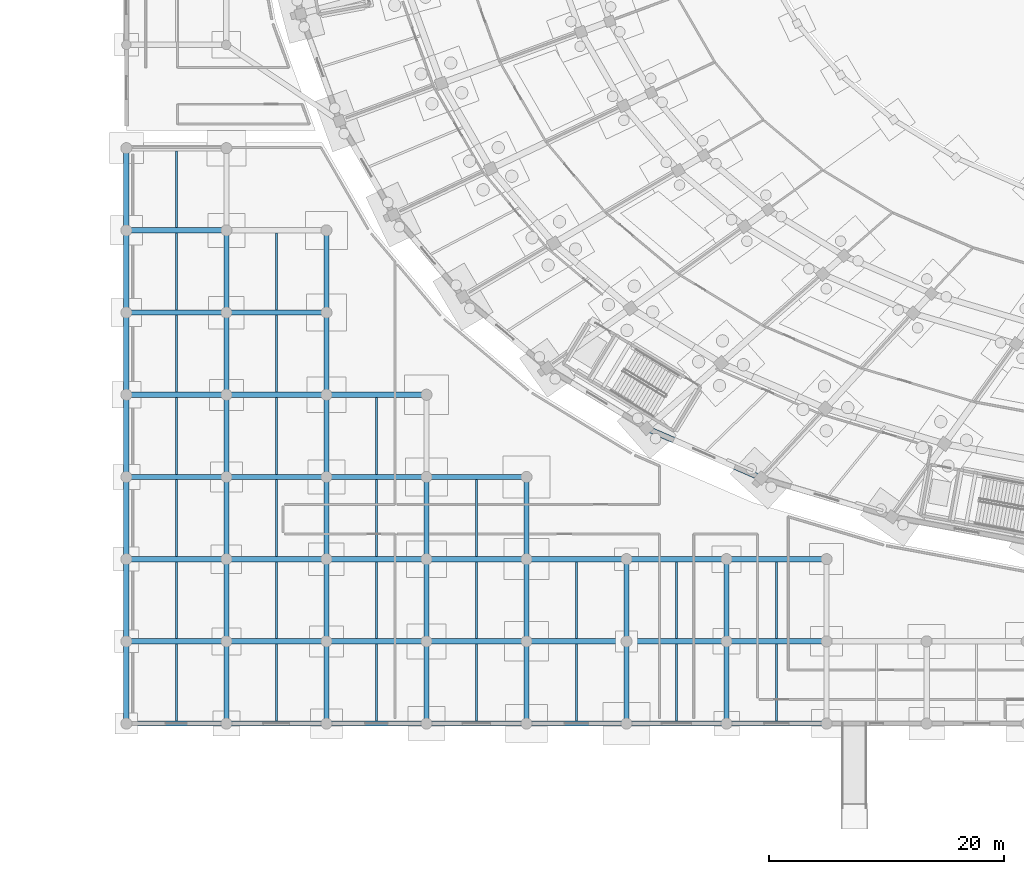
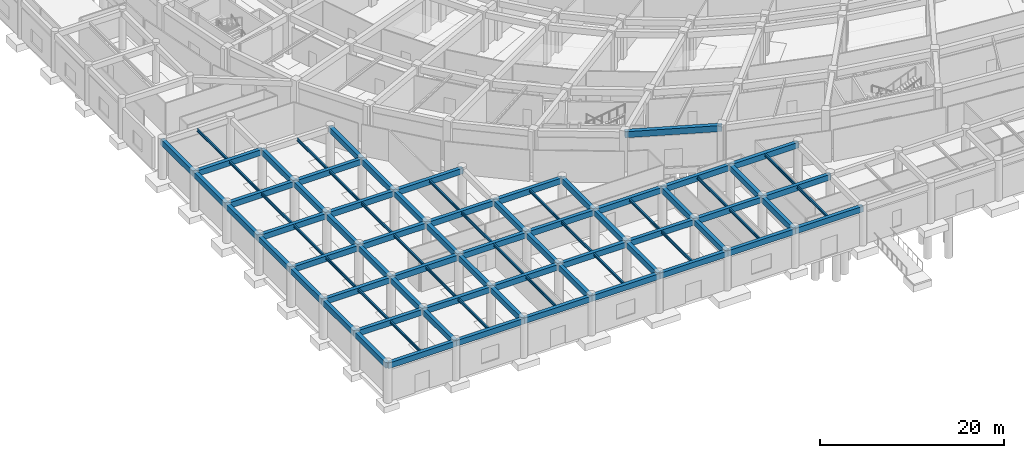
# One storey, part 25 of 88: 87 beams.
"""IFC4 building model written with IfcOpenShell, lengths in metres."""

from ifc_helpers import new_model, si_unit, direction, frame, origin, origin_2d, place, context, subcontext, project, spatial, rectangle, i_section, extrude, material, material_profile, profile_set, type_object, element, save


model = new_model("IFC4")

# Units and contexts
model_context = context("Model", 3, precision=1e-05, world=origin(), true_north=direction((0.0, 1.0)))
body_context = subcontext(model_context, "Body", "Model", "MODEL_VIEW")
ifc_project = project(units=[si_unit("LENGTHUNIT", "METRE"), si_unit("AREAUNIT", "SQUARE_METRE"), si_unit("VOLUMEUNIT", "CUBIC_METRE"), si_unit("PLANEANGLEUNIT", "RADIAN"), si_unit("MASSUNIT", "GRAM", prefix="KILO")], contexts=[model_context])

# Site, building, storey
site_placement = place(None, origin())
site = spatial("IfcSite", under=ifc_project, at=site_placement, CompositionType="ELEMENT")
building_placement = place(site_placement, origin())
building = spatial("IfcBuilding", under=site, at=building_placement, Name="Mphavela Belvedere Stadium", CompositionType="ELEMENT")
storey_placement = place(building_placement, origin())
storey = spatial("IfcBuildingStorey", under=building, at=storey_placement, Name="L00", CompositionType="ELEMENT", Elevation=0.0)

# Beams
ifc_material_1 = material(Name="Steel S355", Category="steel")
ifc_material_profile_1 = material_profile(ifc_material_1, i_section(OverallWidth=0.169921875, OverallDepth=0.360107421875, WebThickness=0.008056640625, FlangeThickness=0.0126953125, at=origin_2d()), Name="IPE 360")
ifc_profile_set_1 = profile_set([ifc_material_profile_1], Name="Steel S355")
beam_type_1 = type_object("IfcBeamType", Name="BM-JOIST-IPE360", PredefinedType="JOIST", material=ifc_profile_set_1)
for number, where, z_axis, x_axis, name in (
    (1, (4.259521484375, 0.22509765625, 4.9599609375), (0.0, 1.0, 0.0), (-1.0, 0.0, 0.0), "South Axial Triumphal Peristyle Portico secondary joist L00 1-1"),
    (2, (4.259521484375, 7.22509765625, 4.9599609375), (0.0, 1.0, 0.0), (-1.0, 0.0, 0.0), "South Axial Triumphal Peristyle Portico secondary joist L00 1-2"),
    (3, (4.259521484375, 14.22509765625, 4.9599609375), (0.0, 1.0, 0.0), (-1.0, 0.0, 0.0), "South Axial Triumphal Peristyle Portico secondary joist L00 1-3"),
    (4, (4.259521484375, 21.22509765625, 4.9599609375), (0.0, 1.0, 0.0), (-1.0, 0.0, 0.0), "South Axial Triumphal Peristyle Portico secondary joist L00 1-4"),
    (5, (4.259521484375, 28.22509765625, 4.9599609375), (0.0, 1.0, 0.0), (-1.0, 0.0, 0.0), "South Axial Triumphal Peristyle Portico secondary joist L00 1-5"),
    (6, (4.259521484375, 35.22509765625, 4.9599609375), (0.0, 1.0, 0.0), (-1.0, 0.0, 0.0), "South Axial Triumphal Peristyle Portico secondary joist L00 1-6"),
    (7, (4.259521484375, 42.22509765625, 4.9599609375), (0.0, 1.0, 0.0), (-1.0, 0.0, 0.0), "South Axial Triumphal Peristyle Portico secondary joist L00 1-7"),
    (8, (12.778076171875, 0.22509765625, 4.9599609375), (0.0, 1.0, 0.0), (-1.0, 0.0, 0.0), "South Axial Triumphal Peristyle Portico secondary joist L00 2-1"),
    (9, (12.778076171875, 7.22509765625, 4.9599609375), (0.0, 1.0, 0.0), (-1.0, 0.0, 0.0), "South Axial Triumphal Peristyle Portico secondary joist L00 2-2"),
    (10, (12.778076171875, 14.22509765625, 4.9599609375), (0.0, 1.0, 0.0), (-1.0, 0.0, 0.0), "South Axial Triumphal Peristyle Portico secondary joist L00 2-3"),
    (11, (12.778076171875, 21.22509765625, 4.9599609375), (0.0, 1.0, 0.0), (-1.0, 0.0, 0.0), "South Axial Triumphal Peristyle Portico secondary joist L00 2-4"),
    (12, (12.778076171875, 28.22509765625, 4.9599609375), (0.0, 1.0, 0.0), (-1.0, 0.0, 0.0), "South Axial Triumphal Peristyle Portico secondary joist L00 2-5"),
    (13, (12.778076171875, 35.22509765625, 4.9599609375), (0.0, 1.0, 0.0), (-1.0, 0.0, 0.0), "South Axial Triumphal Peristyle Portico secondary joist L00 2-6"),
    (14, (21.29638671875, 0.22509765625, 4.9599609375), (0.0, 1.0, 0.0), (-1.0, 0.0, 0.0), "South Axial Triumphal Peristyle Portico secondary joist L00 3-1"),
    (15, (21.29638671875, 7.22509765625, 4.9599609375), (0.0, 1.0, 0.0), (-1.0, 0.0, 0.0), "South Axial Triumphal Peristyle Portico secondary joist L00 3-2"),
    (16, (21.29638671875, 14.22509765625, 4.9599609375), (0.0, 1.0, 0.0), (-1.0, 0.0, 0.0), "South Axial Triumphal Peristyle Portico secondary joist L00 3-3"),
    (17, (21.29638671875, 21.22509765625, 4.9599609375), (0.0, 1.0, 0.0), (-1.0, 0.0, 0.0), "South Axial Triumphal Peristyle Portico secondary joist L00 3-4"),
    (18, (29.81494140625, 0.22509765625, 4.9599609375), (0.0, 1.0, 0.0), (-1.0, 0.0, 0.0), "South Axial Triumphal Peristyle Portico secondary joist L00 4-1"),
    (19, (29.81494140625, 7.22509765625, 4.9599609375), (0.0, 1.0, 0.0), (-1.0, 0.0, 0.0), "South Axial Triumphal Peristyle Portico secondary joist L00 4-2"),
    (20, (29.81494140625, 14.22509765625, 4.9599609375), (0.0, 1.0, 0.0), (-1.0, 0.0, 0.0), "South Axial Triumphal Peristyle Portico secondary joist L00 4-3"),
    (21, (38.33349609375, 0.22509765625, 4.9599609375), (0.0, 1.0, 0.0), (-1.0, 0.0, 0.0), "South Axial Triumphal Peristyle Portico secondary joist L00 5-1"),
    (22, (38.33349609375, 7.22509765625, 4.9599609375), (0.0, 1.0, 0.0), (-1.0, 0.0, 0.0), "South Axial Triumphal Peristyle Portico secondary joist L00 5-2"),
    (23, (46.85205078125, 0.22509765625, 4.9599609375), (0.0, 1.0, 0.0), (-1.0, 0.0, 0.0), "South Axial Triumphal Peristyle Portico secondary joist L00 6-1"),
    (24, (46.85205078125, 7.22509765625, 4.9599609375), (0.0, 1.0, 0.0), (-1.0, 0.0, 0.0), "South Axial Triumphal Peristyle Portico secondary joist L00 6-2"),
    (25, (55.37060546875, 0.22509765625, 4.9599609375), (0.0, 1.0, 0.0), (-1.0, 0.0, 0.0), "South Axial Triumphal Peristyle Portico secondary joist L00 7-1"),
    (26, (55.37060546875, 7.22509765625, 4.9599609375), (0.0, 1.0, 0.0), (-1.0, 0.0, 0.0), "South Axial Triumphal Peristyle Portico secondary joist L00 7-2"),
):
    element("IfcBeam", number, at=place(storey_placement, frame(where, z_axis=z_axis, x_axis=x_axis)), inside=storey, type_object=beam_type_1, Name=name, PredefinedType="JOIST", context=body_context, shape_type="SweptSolid", body=[
        extrude(i_section(OverallWidth=0.169921875, OverallDepth=0.360107421875, WebThickness=0.008056640625, FlangeThickness=0.0126953125, at=origin_2d()), origin(), (0.0, 0.0, 1.0), 6.5498046875),
    ])
ifc_material_2 = material(Name="Concrete C40/50", Category="concrete")
ifc_material_profile_2 = material_profile(ifc_material_2, rectangle(XDim=0.449951171875, YDim=0.75, at=origin_2d()), Name="RC 450x750")
ifc_profile_set_2 = profile_set([ifc_material_profile_2], Name="Concrete C40/50")
beam_type_2 = type_object("IfcBeamType", Name="BM-RC450x750", PredefinedType="BEAM", material=ifc_profile_set_2)
beam_1_placement = place(storey_placement, frame((0.0, 0.0, 4.764892578125), z_axis=(1.0, 0.0, 0.0), x_axis=(0.0, 1.0, 0.0)))
element("IfcBeam", 27, at=beam_1_placement, inside=storey, type_object=beam_type_2, Name="South Axial Triumphal Peristyle Portico entablature beam X L00 1-1", PredefinedType="BEAM", context=body_context, shape_type="SweptSolid", body=[
    extrude(rectangle(XDim=0.449951171875, YDim=0.75, at=origin_2d()), origin(), (0.0, 0.0, 1.0), 8.51904296875),
])
beam_2_placement = place(storey_placement, frame((0.0, 0.0, 4.764892578125), z_axis=(0.0, 1.0, 0.0), x_axis=(-1.0, 0.0, 0.0)))
element("IfcBeam", 28, at=beam_2_placement, inside=storey, type_object=beam_type_2, Name="South Axial Triumphal Peristyle Portico entablature beam Y L00 1-1", PredefinedType="BEAM", context=body_context, shape_type="SweptSolid", body=[
    extrude(rectangle(XDim=0.449951171875, YDim=0.75, at=origin_2d()), origin(), (0.0, 0.0, 1.0), 7.0),
])
beam_3_placement = place(storey_placement, frame((0.0, 7.0, 4.764892578125), z_axis=(1.0, 0.0, 0.0), x_axis=(0.0, 1.0, 0.0)))
element("IfcBeam", 29, at=beam_3_placement, inside=storey, type_object=beam_type_2, Name="South Axial Triumphal Peristyle Portico entablature beam X L00 1-2", PredefinedType="BEAM", context=body_context, shape_type="SweptSolid", body=[
    extrude(rectangle(XDim=0.449951171875, YDim=0.75, at=origin_2d()), origin(), (0.0, 0.0, 1.0), 8.51904296875),
])
beam_4_placement = place(storey_placement, frame((0.0, 7.0, 4.764892578125), z_axis=(0.0, 1.0, 0.0), x_axis=(-1.0, 0.0, 0.0)))
element("IfcBeam", 30, at=beam_4_placement, inside=storey, type_object=beam_type_2, Name="South Axial Triumphal Peristyle Portico entablature beam Y L00 1-2", PredefinedType="BEAM", context=body_context, shape_type="SweptSolid", body=[
    extrude(rectangle(XDim=0.449951171875, YDim=0.75, at=origin_2d()), origin(), (0.0, 0.0, 1.0), 7.0),
])
beam_5_placement = place(storey_placement, frame((0.0, 14.0, 4.764892578125), z_axis=(1.0, 0.0, 0.0), x_axis=(0.0, 1.0, 0.0)))
element("IfcBeam", 31, at=beam_5_placement, inside=storey, type_object=beam_type_2, Name="South Axial Triumphal Peristyle Portico entablature beam X L00 1-3", PredefinedType="BEAM", context=body_context, shape_type="SweptSolid", body=[
    extrude(rectangle(XDim=0.449951171875, YDim=0.75, at=origin_2d()), origin(), (0.0, 0.0, 1.0), 8.51904296875),
])
beam_6_placement = place(storey_placement, frame((0.0, 14.0, 4.764892578125), z_axis=(0.0, 1.0, 0.0), x_axis=(-1.0, 0.0, 0.0)))
element("IfcBeam", 32, at=beam_6_placement, inside=storey, type_object=beam_type_2, Name="South Axial Triumphal Peristyle Portico entablature beam Y L00 1-3", PredefinedType="BEAM", context=body_context, shape_type="SweptSolid", body=[
    extrude(rectangle(XDim=0.449951171875, YDim=0.75, at=origin_2d()), origin(), (0.0, 0.0, 1.0), 7.0),
])
beam_7_placement = place(storey_placement, frame((0.0, 21.0, 4.764892578125), z_axis=(1.0, 0.0, 0.0), x_axis=(0.0, 1.0, 0.0)))
element("IfcBeam", 33, at=beam_7_placement, inside=storey, type_object=beam_type_2, Name="South Axial Triumphal Peristyle Portico entablature beam X L00 1-4", PredefinedType="BEAM", context=body_context, shape_type="SweptSolid", body=[
    extrude(rectangle(XDim=0.449951171875, YDim=0.75, at=origin_2d()), origin(), (0.0, 0.0, 1.0), 8.51904296875),
])
beam_8_placement = place(storey_placement, frame((0.0, 21.0, 4.764892578125), z_axis=(0.0, 1.0, 0.0), x_axis=(-1.0, 0.0, 0.0)))
element("IfcBeam", 34, at=beam_8_placement, inside=storey, type_object=beam_type_2, Name="South Axial Triumphal Peristyle Portico entablature beam Y L00 1-4", PredefinedType="BEAM", context=body_context, shape_type="SweptSolid", body=[
    extrude(rectangle(XDim=0.449951171875, YDim=0.75, at=origin_2d()), origin(), (0.0, 0.0, 1.0), 7.0),
])
beam_9_placement = place(storey_placement, frame((0.0, 28.0, 4.764892578125), z_axis=(1.0, 0.0, 0.0), x_axis=(0.0, 1.0, 0.0)))
element("IfcBeam", 35, at=beam_9_placement, inside=storey, type_object=beam_type_2, Name="South Axial Triumphal Peristyle Portico entablature beam X L00 1-5", PredefinedType="BEAM", context=body_context, shape_type="SweptSolid", body=[
    extrude(rectangle(XDim=0.449951171875, YDim=0.75, at=origin_2d()), origin(), (0.0, 0.0, 1.0), 8.51904296875),
])
beam_10_placement = place(storey_placement, frame((0.0, 28.0, 4.764892578125), z_axis=(0.0, 1.0, 0.0), x_axis=(-1.0, 0.0, 0.0)))
element("IfcBeam", 36, at=beam_10_placement, inside=storey, type_object=beam_type_2, Name="South Axial Triumphal Peristyle Portico entablature beam Y L00 1-5", PredefinedType="BEAM", context=body_context, shape_type="SweptSolid", body=[
    extrude(rectangle(XDim=0.449951171875, YDim=0.75, at=origin_2d()), origin(), (0.0, 0.0, 1.0), 7.0),
])
beam_11_placement = place(storey_placement, frame((0.0, 35.0, 4.764892578125), z_axis=(1.0, 0.0, 0.0), x_axis=(0.0, 1.0, 0.0)))
element("IfcBeam", 37, at=beam_11_placement, inside=storey, type_object=beam_type_2, Name="South Axial Triumphal Peristyle Portico entablature beam X L00 1-6", PredefinedType="BEAM", context=body_context, shape_type="SweptSolid", body=[
    extrude(rectangle(XDim=0.449951171875, YDim=0.75, at=origin_2d()), origin(), (0.0, 0.0, 1.0), 8.51904296875),
])
beam_12_placement = place(storey_placement, frame((0.0, 35.0, 4.764892578125), z_axis=(0.0, 1.0, 0.0), x_axis=(-1.0, 0.0, 0.0)))
element("IfcBeam", 38, at=beam_12_placement, inside=storey, type_object=beam_type_2, Name="South Axial Triumphal Peristyle Portico entablature beam Y L00 1-6", PredefinedType="BEAM", context=body_context, shape_type="SweptSolid", body=[
    extrude(rectangle(XDim=0.449951171875, YDim=0.75, at=origin_2d()), origin(), (0.0, 0.0, 1.0), 7.0),
])
beam_13_placement = place(storey_placement, frame((0.0, 42.0, 4.764892578125), z_axis=(1.0, 0.0, 0.0), x_axis=(0.0, 1.0, 0.0)))
element("IfcBeam", 39, at=beam_13_placement, inside=storey, type_object=beam_type_2, Name="South Axial Triumphal Peristyle Portico entablature beam X L00 1-7", PredefinedType="BEAM", context=body_context, shape_type="SweptSolid", body=[
    extrude(rectangle(XDim=0.449951171875, YDim=0.75, at=origin_2d()), origin(), (0.0, 0.0, 1.0), 8.51904296875),
])
beam_14_placement = place(storey_placement, frame((0.0, 42.0, 4.764892578125), z_axis=(0.0, 1.0, 0.0), x_axis=(-1.0, 0.0, 0.0)))
element("IfcBeam", 40, at=beam_14_placement, inside=storey, type_object=beam_type_2, Name="South Axial Triumphal Peristyle Portico entablature beam Y L00 1-7", PredefinedType="BEAM", context=body_context, shape_type="SweptSolid", body=[
    extrude(rectangle(XDim=0.449951171875, YDim=0.75, at=origin_2d()), origin(), (0.0, 0.0, 1.0), 7.0),
])
beam_15_placement = place(storey_placement, frame((8.51904296875, 0.0, 4.764892578125), z_axis=(1.0, 0.0, 0.0), x_axis=(0.0, 1.0, 0.0)))
element("IfcBeam", 41, at=beam_15_placement, inside=storey, type_object=beam_type_2, Name="South Axial Triumphal Peristyle Portico entablature beam X L00 2-1", PredefinedType="BEAM", context=body_context, shape_type="SweptSolid", body=[
    extrude(rectangle(XDim=0.449951171875, YDim=0.75, at=origin_2d()), origin(), (0.0, 0.0, 1.0), 8.51806640625),
])
beam_16_placement = place(storey_placement, frame((8.51904296875, 0.0, 4.764892578125), z_axis=(0.0, 1.0, 0.0), x_axis=(-1.0, 0.0, 0.0)))
element("IfcBeam", 42, at=beam_16_placement, inside=storey, type_object=beam_type_2, Name="South Axial Triumphal Peristyle Portico entablature beam Y L00 2-1", PredefinedType="BEAM", context=body_context, shape_type="SweptSolid", body=[
    extrude(rectangle(XDim=0.449951171875, YDim=0.75, at=origin_2d()), origin(), (0.0, 0.0, 1.0), 7.0),
])
beam_17_placement = place(storey_placement, frame((8.51904296875, 7.0, 4.764892578125), z_axis=(1.0, 0.0, 0.0), x_axis=(0.0, 1.0, 0.0)))
element("IfcBeam", 43, at=beam_17_placement, inside=storey, type_object=beam_type_2, Name="South Axial Triumphal Peristyle Portico entablature beam X L00 2-2", PredefinedType="BEAM", context=body_context, shape_type="SweptSolid", body=[
    extrude(rectangle(XDim=0.449951171875, YDim=0.75, at=origin_2d()), origin(), (0.0, 0.0, 1.0), 8.51806640625),
])
beam_18_placement = place(storey_placement, frame((8.51904296875, 7.0, 4.764892578125), z_axis=(0.0, 1.0, 0.0), x_axis=(-1.0, 0.0, 0.0)))
element("IfcBeam", 44, at=beam_18_placement, inside=storey, type_object=beam_type_2, Name="South Axial Triumphal Peristyle Portico entablature beam Y L00 2-2", PredefinedType="BEAM", context=body_context, shape_type="SweptSolid", body=[
    extrude(rectangle(XDim=0.449951171875, YDim=0.75, at=origin_2d()), origin(), (0.0, 0.0, 1.0), 7.0),
])
beam_19_placement = place(storey_placement, frame((8.51904296875, 14.0, 4.764892578125), z_axis=(1.0, 0.0, 0.0), x_axis=(0.0, 1.0, 0.0)))
element("IfcBeam", 45, at=beam_19_placement, inside=storey, type_object=beam_type_2, Name="South Axial Triumphal Peristyle Portico entablature beam X L00 2-3", PredefinedType="BEAM", context=body_context, shape_type="SweptSolid", body=[
    extrude(rectangle(XDim=0.449951171875, YDim=0.75, at=origin_2d()), origin(), (0.0, 0.0, 1.0), 8.51806640625),
])
beam_20_placement = place(storey_placement, frame((8.51904296875, 14.0, 4.764892578125), z_axis=(0.0, 1.0, 0.0), x_axis=(-1.0, 0.0, 0.0)))
element("IfcBeam", 46, at=beam_20_placement, inside=storey, type_object=beam_type_2, Name="South Axial Triumphal Peristyle Portico entablature beam Y L00 2-3", PredefinedType="BEAM", context=body_context, shape_type="SweptSolid", body=[
    extrude(rectangle(XDim=0.449951171875, YDim=0.75, at=origin_2d()), origin(), (0.0, 0.0, 1.0), 7.0),
])
beam_21_placement = place(storey_placement, frame((8.51904296875, 21.0, 4.764892578125), z_axis=(1.0, 0.0, 0.0), x_axis=(0.0, 1.0, 0.0)))
element("IfcBeam", 47, at=beam_21_placement, inside=storey, type_object=beam_type_2, Name="South Axial Triumphal Peristyle Portico entablature beam X L00 2-4", PredefinedType="BEAM", context=body_context, shape_type="SweptSolid", body=[
    extrude(rectangle(XDim=0.449951171875, YDim=0.75, at=origin_2d()), origin(), (0.0, 0.0, 1.0), 8.51806640625),
])
beam_22_placement = place(storey_placement, frame((8.51904296875, 21.0, 4.764892578125), z_axis=(0.0, 1.0, 0.0), x_axis=(-1.0, 0.0, 0.0)))
element("IfcBeam", 48, at=beam_22_placement, inside=storey, type_object=beam_type_2, Name="South Axial Triumphal Peristyle Portico entablature beam Y L00 2-4", PredefinedType="BEAM", context=body_context, shape_type="SweptSolid", body=[
    extrude(rectangle(XDim=0.449951171875, YDim=0.75, at=origin_2d()), origin(), (0.0, 0.0, 1.0), 7.0),
])
beam_23_placement = place(storey_placement, frame((8.51904296875, 28.0, 4.764892578125), z_axis=(1.0, 0.0, 0.0), x_axis=(0.0, 1.0, 0.0)))
element("IfcBeam", 49, at=beam_23_placement, inside=storey, type_object=beam_type_2, Name="South Axial Triumphal Peristyle Portico entablature beam X L00 2-5", PredefinedType="BEAM", context=body_context, shape_type="SweptSolid", body=[
    extrude(rectangle(XDim=0.449951171875, YDim=0.75, at=origin_2d()), origin(), (0.0, 0.0, 1.0), 8.51806640625),
])
beam_24_placement = place(storey_placement, frame((8.51904296875, 28.0, 4.764892578125), z_axis=(0.0, 1.0, 0.0), x_axis=(-1.0, 0.0, 0.0)))
element("IfcBeam", 50, at=beam_24_placement, inside=storey, type_object=beam_type_2, Name="South Axial Triumphal Peristyle Portico entablature beam Y L00 2-5", PredefinedType="BEAM", context=body_context, shape_type="SweptSolid", body=[
    extrude(rectangle(XDim=0.449951171875, YDim=0.75, at=origin_2d()), origin(), (0.0, 0.0, 1.0), 7.0),
])
beam_25_placement = place(storey_placement, frame((8.51904296875, 35.0, 4.764892578125), z_axis=(1.0, 0.0, 0.0), x_axis=(0.0, 1.0, 0.0)))
element("IfcBeam", 51, at=beam_25_placement, inside=storey, type_object=beam_type_2, Name="South Axial Triumphal Peristyle Portico entablature beam X L00 2-6", PredefinedType="BEAM", context=body_context, shape_type="SweptSolid", body=[
    extrude(rectangle(XDim=0.449951171875, YDim=0.75, at=origin_2d()), origin(), (0.0, 0.0, 1.0), 8.51806640625),
])
beam_26_placement = place(storey_placement, frame((8.51904296875, 35.0, 4.764892578125), z_axis=(0.0, 1.0, 0.0), x_axis=(-1.0, 0.0, 0.0)))
element("IfcBeam", 52, at=beam_26_placement, inside=storey, type_object=beam_type_2, Name="South Axial Triumphal Peristyle Portico entablature beam Y L00 2-6", PredefinedType="BEAM", context=body_context, shape_type="SweptSolid", body=[
    extrude(rectangle(XDim=0.449951171875, YDim=0.75, at=origin_2d()), origin(), (0.0, 0.0, 1.0), 7.0),
])
beam_27_placement = place(storey_placement, frame((17.037109375, 0.0, 4.764892578125), z_axis=(1.0, 0.0, 0.0), x_axis=(0.0, 1.0, 0.0)))
element("IfcBeam", 53, at=beam_27_placement, inside=storey, type_object=beam_type_2, Name="South Axial Triumphal Peristyle Portico entablature beam X L00 3-1", PredefinedType="BEAM", context=body_context, shape_type="SweptSolid", body=[
    extrude(rectangle(XDim=0.449951171875, YDim=0.75, at=origin_2d()), origin(), (0.0, 0.0, 1.0), 8.518798828125),
])
beam_28_placement = place(storey_placement, frame((17.037109375, 0.0, 4.764892578125), z_axis=(0.0, 1.0, 0.0), x_axis=(-1.0, 0.0, 0.0)))
element("IfcBeam", 54, at=beam_28_placement, inside=storey, type_object=beam_type_2, Name="South Axial Triumphal Peristyle Portico entablature beam Y L00 3-1", PredefinedType="BEAM", context=body_context, shape_type="SweptSolid", body=[
    extrude(rectangle(XDim=0.449951171875, YDim=0.75, at=origin_2d()), origin(), (0.0, 0.0, 1.0), 7.0),
])
beam_29_placement = place(storey_placement, frame((17.037109375, 7.0, 4.764892578125), z_axis=(1.0, 0.0, 0.0), x_axis=(0.0, 1.0, 0.0)))
element("IfcBeam", 55, at=beam_29_placement, inside=storey, type_object=beam_type_2, Name="South Axial Triumphal Peristyle Portico entablature beam X L00 3-2", PredefinedType="BEAM", context=body_context, shape_type="SweptSolid", body=[
    extrude(rectangle(XDim=0.449951171875, YDim=0.75, at=origin_2d()), origin(), (0.0, 0.0, 1.0), 8.518798828125),
])
beam_30_placement = place(storey_placement, frame((17.037109375, 7.0, 4.764892578125), z_axis=(0.0, 1.0, 0.0), x_axis=(-1.0, 0.0, 0.0)))
element("IfcBeam", 56, at=beam_30_placement, inside=storey, type_object=beam_type_2, Name="South Axial Triumphal Peristyle Portico entablature beam Y L00 3-2", PredefinedType="BEAM", context=body_context, shape_type="SweptSolid", body=[
    extrude(rectangle(XDim=0.449951171875, YDim=0.75, at=origin_2d()), origin(), (0.0, 0.0, 1.0), 7.0),
])
beam_31_placement = place(storey_placement, frame((17.037109375, 14.0, 4.764892578125), z_axis=(1.0, 0.0, 0.0), x_axis=(0.0, 1.0, 0.0)))
element("IfcBeam", 57, at=beam_31_placement, inside=storey, type_object=beam_type_2, Name="South Axial Triumphal Peristyle Portico entablature beam X L00 3-3", PredefinedType="BEAM", context=body_context, shape_type="SweptSolid", body=[
    extrude(rectangle(XDim=0.449951171875, YDim=0.75, at=origin_2d()), origin(), (0.0, 0.0, 1.0), 8.518798828125),
])
beam_32_placement = place(storey_placement, frame((17.037109375, 14.0, 4.764892578125), z_axis=(0.0, 1.0, 0.0), x_axis=(-1.0, 0.0, 0.0)))
element("IfcBeam", 58, at=beam_32_placement, inside=storey, type_object=beam_type_2, Name="South Axial Triumphal Peristyle Portico entablature beam Y L00 3-3", PredefinedType="BEAM", context=body_context, shape_type="SweptSolid", body=[
    extrude(rectangle(XDim=0.449951171875, YDim=0.75, at=origin_2d()), origin(), (0.0, 0.0, 1.0), 7.0),
])
beam_33_placement = place(storey_placement, frame((17.037109375, 21.0, 4.764892578125), z_axis=(1.0, 0.0, 0.0), x_axis=(0.0, 1.0, 0.0)))
element("IfcBeam", 59, at=beam_33_placement, inside=storey, type_object=beam_type_2, Name="South Axial Triumphal Peristyle Portico entablature beam X L00 3-4", PredefinedType="BEAM", context=body_context, shape_type="SweptSolid", body=[
    extrude(rectangle(XDim=0.449951171875, YDim=0.75, at=origin_2d()), origin(), (0.0, 0.0, 1.0), 8.518798828125),
])
beam_34_placement = place(storey_placement, frame((17.037109375, 21.0, 4.764892578125), z_axis=(0.0, 1.0, 0.0), x_axis=(-1.0, 0.0, 0.0)))
element("IfcBeam", 60, at=beam_34_placement, inside=storey, type_object=beam_type_2, Name="South Axial Triumphal Peristyle Portico entablature beam Y L00 3-4", PredefinedType="BEAM", context=body_context, shape_type="SweptSolid", body=[
    extrude(rectangle(XDim=0.449951171875, YDim=0.75, at=origin_2d()), origin(), (0.0, 0.0, 1.0), 7.0),
])
beam_35_placement = place(storey_placement, frame((17.037109375, 28.0, 4.764892578125), z_axis=(1.0, 0.0, 0.0), x_axis=(0.0, 1.0, 0.0)))
element("IfcBeam", 61, at=beam_35_placement, inside=storey, type_object=beam_type_2, Name="South Axial Triumphal Peristyle Portico entablature beam X L00 3-5", PredefinedType="BEAM", context=body_context, shape_type="SweptSolid", body=[
    extrude(rectangle(XDim=0.449951171875, YDim=0.75, at=origin_2d()), origin(), (0.0, 0.0, 1.0), 8.518798828125),
])
for number, where, z_axis, x_axis, name in (
    (62, (17.037109375, 28.0, 4.764892578125), (0.0, 1.0, 0.0), (-1.0, 0.0, 0.0), "South Axial Triumphal Peristyle Portico entablature beam Y L00 3-5"),
    (63, (17.037109375, 35.0, 4.764892578125), (0.0, 1.0, 0.0), (-1.0, 0.0, 0.0), "South Axial Triumphal Peristyle Portico entablature beam Y L00 3-6"),
):
    element("IfcBeam", number, at=place(storey_placement, frame(where, z_axis=z_axis, x_axis=x_axis)), inside=storey, type_object=beam_type_2, Name=name, PredefinedType="BEAM", context=body_context, shape_type="SweptSolid", body=[
        extrude(rectangle(XDim=0.449951171875, YDim=0.75, at=origin_2d()), origin(), (0.0, 0.0, 1.0), 7.0),
    ])
beam_36_placement = place(storey_placement, frame((25.555908203125, 0.0, 4.764892578125), z_axis=(1.0, 0.0, 0.0), x_axis=(0.0, 1.0, 0.0)))
element("IfcBeam", 64, at=beam_36_placement, inside=storey, type_object=beam_type_2, Name="South Axial Triumphal Peristyle Portico entablature beam X L00 4-1", PredefinedType="BEAM", context=body_context, shape_type="SweptSolid", body=[
    extrude(rectangle(XDim=0.449951171875, YDim=0.75, at=origin_2d()), origin(), (0.0, 0.0, 1.0), 8.51806640625),
])
beam_37_placement = place(storey_placement, frame((25.555908203125, 0.0, 4.764892578125), z_axis=(0.0, 1.0, 0.0), x_axis=(-1.0, 0.0, 0.0)))
element("IfcBeam", 65, at=beam_37_placement, inside=storey, type_object=beam_type_2, Name="South Axial Triumphal Peristyle Portico entablature beam Y L00 4-1", PredefinedType="BEAM", context=body_context, shape_type="SweptSolid", body=[
    extrude(rectangle(XDim=0.449951171875, YDim=0.75, at=origin_2d()), origin(), (0.0, 0.0, 1.0), 7.0),
])
beam_38_placement = place(storey_placement, frame((25.555908203125, 7.0, 4.764892578125), z_axis=(1.0, 0.0, 0.0), x_axis=(0.0, 1.0, 0.0)))
element("IfcBeam", 66, at=beam_38_placement, inside=storey, type_object=beam_type_2, Name="South Axial Triumphal Peristyle Portico entablature beam X L00 4-2", PredefinedType="BEAM", context=body_context, shape_type="SweptSolid", body=[
    extrude(rectangle(XDim=0.449951171875, YDim=0.75, at=origin_2d()), origin(), (0.0, 0.0, 1.0), 8.51806640625),
])
beam_39_placement = place(storey_placement, frame((25.555908203125, 7.0, 4.764892578125), z_axis=(0.0, 1.0, 0.0), x_axis=(-1.0, 0.0, 0.0)))
element("IfcBeam", 67, at=beam_39_placement, inside=storey, type_object=beam_type_2, Name="South Axial Triumphal Peristyle Portico entablature beam Y L00 4-2", PredefinedType="BEAM", context=body_context, shape_type="SweptSolid", body=[
    extrude(rectangle(XDim=0.449951171875, YDim=0.75, at=origin_2d()), origin(), (0.0, 0.0, 1.0), 7.0),
])
beam_40_placement = place(storey_placement, frame((25.555908203125, 14.0, 4.764892578125), z_axis=(1.0, 0.0, 0.0), x_axis=(0.0, 1.0, 0.0)))
element("IfcBeam", 68, at=beam_40_placement, inside=storey, type_object=beam_type_2, Name="South Axial Triumphal Peristyle Portico entablature beam X L00 4-3", PredefinedType="BEAM", context=body_context, shape_type="SweptSolid", body=[
    extrude(rectangle(XDim=0.449951171875, YDim=0.75, at=origin_2d()), origin(), (0.0, 0.0, 1.0), 8.51806640625),
])
beam_41_placement = place(storey_placement, frame((25.555908203125, 14.0, 4.764892578125), z_axis=(0.0, 1.0, 0.0), x_axis=(-1.0, 0.0, 0.0)))
element("IfcBeam", 69, at=beam_41_placement, inside=storey, type_object=beam_type_2, Name="South Axial Triumphal Peristyle Portico entablature beam Y L00 4-3", PredefinedType="BEAM", context=body_context, shape_type="SweptSolid", body=[
    extrude(rectangle(XDim=0.449951171875, YDim=0.75, at=origin_2d()), origin(), (0.0, 0.0, 1.0), 7.0),
])
beam_42_placement = place(storey_placement, frame((25.555908203125, 21.0, 4.764892578125), z_axis=(1.0, 0.0, 0.0), x_axis=(0.0, 1.0, 0.0)))
element("IfcBeam", 70, at=beam_42_placement, inside=storey, type_object=beam_type_2, Name="South Axial Triumphal Peristyle Portico entablature beam X L00 4-4", PredefinedType="BEAM", context=body_context, shape_type="SweptSolid", body=[
    extrude(rectangle(XDim=0.449951171875, YDim=0.75, at=origin_2d()), origin(), (0.0, 0.0, 1.0), 8.51806640625),
])
beam_43_placement = place(storey_placement, frame((34.073974609375, 0.0, 4.764892578125), z_axis=(1.0, 0.0, 0.0), x_axis=(0.0, 1.0, 0.0)))
element("IfcBeam", 71, at=beam_43_placement, inside=storey, type_object=beam_type_2, Name="South Axial Triumphal Peristyle Portico entablature beam X L00 5-1", PredefinedType="BEAM", context=body_context, shape_type="SweptSolid", body=[
    extrude(rectangle(XDim=0.449951171875, YDim=0.75, at=origin_2d()), origin(), (0.0, 0.0, 1.0), 8.51904296875),
])
beam_44_placement = place(storey_placement, frame((34.073974609375, 0.0, 4.764892578125), z_axis=(0.0, 1.0, 0.0), x_axis=(-1.0, 0.0, 0.0)))
element("IfcBeam", 72, at=beam_44_placement, inside=storey, type_object=beam_type_2, Name="South Axial Triumphal Peristyle Portico entablature beam Y L00 5-1", PredefinedType="BEAM", context=body_context, shape_type="SweptSolid", body=[
    extrude(rectangle(XDim=0.449951171875, YDim=0.75, at=origin_2d()), origin(), (0.0, 0.0, 1.0), 7.0),
])
beam_45_placement = place(storey_placement, frame((34.073974609375, 7.0, 4.764892578125), z_axis=(1.0, 0.0, 0.0), x_axis=(0.0, 1.0, 0.0)))
element("IfcBeam", 73, at=beam_45_placement, inside=storey, type_object=beam_type_2, Name="South Axial Triumphal Peristyle Portico entablature beam X L00 5-2", PredefinedType="BEAM", context=body_context, shape_type="SweptSolid", body=[
    extrude(rectangle(XDim=0.449951171875, YDim=0.75, at=origin_2d()), origin(), (0.0, 0.0, 1.0), 8.51904296875),
])
beam_46_placement = place(storey_placement, frame((34.073974609375, 7.0, 4.764892578125), z_axis=(0.0, 1.0, 0.0), x_axis=(-1.0, 0.0, 0.0)))
element("IfcBeam", 74, at=beam_46_placement, inside=storey, type_object=beam_type_2, Name="South Axial Triumphal Peristyle Portico entablature beam Y L00 5-2", PredefinedType="BEAM", context=body_context, shape_type="SweptSolid", body=[
    extrude(rectangle(XDim=0.449951171875, YDim=0.75, at=origin_2d()), origin(), (0.0, 0.0, 1.0), 7.0),
])
beam_47_placement = place(storey_placement, frame((34.073974609375, 14.0, 4.764892578125), z_axis=(1.0, 0.0, 0.0), x_axis=(0.0, 1.0, 0.0)))
element("IfcBeam", 75, at=beam_47_placement, inside=storey, type_object=beam_type_2, Name="South Axial Triumphal Peristyle Portico entablature beam X L00 5-3", PredefinedType="BEAM", context=body_context, shape_type="SweptSolid", body=[
    extrude(rectangle(XDim=0.449951171875, YDim=0.75, at=origin_2d()), origin(), (0.0, 0.0, 1.0), 8.51904296875),
])
beam_48_placement = place(storey_placement, frame((34.073974609375, 14.0, 4.764892578125), z_axis=(0.0, 1.0, 0.0), x_axis=(-1.0, 0.0, 0.0)))
element("IfcBeam", 76, at=beam_48_placement, inside=storey, type_object=beam_type_2, Name="South Axial Triumphal Peristyle Portico entablature beam Y L00 5-3", PredefinedType="BEAM", context=body_context, shape_type="SweptSolid", body=[
    extrude(rectangle(XDim=0.449951171875, YDim=0.75, at=origin_2d()), origin(), (0.0, 0.0, 1.0), 7.0),
])
beam_49_placement = place(storey_placement, frame((42.593017578125, 0.0, 4.764892578125), z_axis=(1.0, 0.0, 0.0), x_axis=(0.0, 1.0, 0.0)))
element("IfcBeam", 77, at=beam_49_placement, inside=storey, type_object=beam_type_2, Name="South Axial Triumphal Peristyle Portico entablature beam X L00 6-1", PredefinedType="BEAM", context=body_context, shape_type="SweptSolid", body=[
    extrude(rectangle(XDim=0.449951171875, YDim=0.75, at=origin_2d()), origin(), (0.0, 0.0, 1.0), 8.51806640625),
])
beam_50_placement = place(storey_placement, frame((42.593017578125, 0.0, 4.764892578125), z_axis=(0.0, 1.0, 0.0), x_axis=(-1.0, 0.0, 0.0)))
element("IfcBeam", 78, at=beam_50_placement, inside=storey, type_object=beam_type_2, Name="South Axial Triumphal Peristyle Portico entablature beam Y L00 6-1", PredefinedType="BEAM", context=body_context, shape_type="SweptSolid", body=[
    extrude(rectangle(XDim=0.449951171875, YDim=0.75, at=origin_2d()), origin(), (0.0, 0.0, 1.0), 7.0),
])
beam_51_placement = place(storey_placement, frame((42.593017578125, 7.0, 4.764892578125), z_axis=(1.0, 0.0, 0.0), x_axis=(0.0, 1.0, 0.0)))
element("IfcBeam", 79, at=beam_51_placement, inside=storey, type_object=beam_type_2, Name="South Axial Triumphal Peristyle Portico entablature beam X L00 6-2", PredefinedType="BEAM", context=body_context, shape_type="SweptSolid", body=[
    extrude(rectangle(XDim=0.449951171875, YDim=0.75, at=origin_2d()), origin(), (0.0, 0.0, 1.0), 8.51806640625),
])
beam_52_placement = place(storey_placement, frame((42.593017578125, 7.0, 4.764892578125), z_axis=(0.0, 1.0, 0.0), x_axis=(-1.0, 0.0, 0.0)))
element("IfcBeam", 80, at=beam_52_placement, inside=storey, type_object=beam_type_2, Name="South Axial Triumphal Peristyle Portico entablature beam Y L00 6-2", PredefinedType="BEAM", context=body_context, shape_type="SweptSolid", body=[
    extrude(rectangle(XDim=0.449951171875, YDim=0.75, at=origin_2d()), origin(), (0.0, 0.0, 1.0), 7.0),
])
beam_53_placement = place(storey_placement, frame((42.593017578125, 14.0, 4.764892578125), z_axis=(1.0, 0.0, 0.0), x_axis=(0.0, 1.0, 0.0)))
element("IfcBeam", 81, at=beam_53_placement, inside=storey, type_object=beam_type_2, Name="South Axial Triumphal Peristyle Portico entablature beam X L00 6-3", PredefinedType="BEAM", context=body_context, shape_type="SweptSolid", body=[
    extrude(rectangle(XDim=0.449951171875, YDim=0.75, at=origin_2d()), origin(), (0.0, 0.0, 1.0), 8.51806640625),
])
beam_54_placement = place(storey_placement, frame((51.111083984375, 0.0, 4.764892578125), z_axis=(1.0, 0.0, 0.0), x_axis=(0.0, 1.0, 0.0)))
element("IfcBeam", 82, at=beam_54_placement, inside=storey, type_object=beam_type_2, Name="South Axial Triumphal Peristyle Portico entablature beam X L00 7-1", PredefinedType="BEAM", context=body_context, shape_type="SweptSolid", body=[
    extrude(rectangle(XDim=0.449951171875, YDim=0.75, at=origin_2d()), origin(), (0.0, 0.0, 1.0), 8.518798828125),
])
beam_55_placement = place(storey_placement, frame((51.111083984375, 0.0, 4.764892578125), z_axis=(0.0, 1.0, 0.0), x_axis=(-1.0, 0.0, 0.0)))
element("IfcBeam", 83, at=beam_55_placement, inside=storey, type_object=beam_type_2, Name="South Axial Triumphal Peristyle Portico entablature beam Y L00 7-1", PredefinedType="BEAM", context=body_context, shape_type="SweptSolid", body=[
    extrude(rectangle(XDim=0.449951171875, YDim=0.75, at=origin_2d()), origin(), (0.0, 0.0, 1.0), 7.0),
])
beam_56_placement = place(storey_placement, frame((51.111083984375, 7.0, 4.764892578125), z_axis=(1.0, 0.0, 0.0), x_axis=(0.0, 1.0, 0.0)))
element("IfcBeam", 84, at=beam_56_placement, inside=storey, type_object=beam_type_2, Name="South Axial Triumphal Peristyle Portico entablature beam X L00 7-2", PredefinedType="BEAM", context=body_context, shape_type="SweptSolid", body=[
    extrude(rectangle(XDim=0.449951171875, YDim=0.75, at=origin_2d()), origin(), (0.0, 0.0, 1.0), 8.518798828125),
])
beam_57_placement = place(storey_placement, frame((51.111083984375, 7.0, 4.764892578125), z_axis=(0.0, 1.0, 0.0), x_axis=(-1.0, 0.0, 0.0)))
element("IfcBeam", 85, at=beam_57_placement, inside=storey, type_object=beam_type_2, Name="South Axial Triumphal Peristyle Portico entablature beam Y L00 7-2", PredefinedType="BEAM", context=body_context, shape_type="SweptSolid", body=[
    extrude(rectangle(XDim=0.449951171875, YDim=0.75, at=origin_2d()), origin(), (0.0, 0.0, 1.0), 7.0),
])
beam_58_placement = place(storey_placement, frame((51.111083984375, 14.0, 4.764892578125), z_axis=(1.0, 0.0, 0.0), x_axis=(0.0, 1.0, 0.0)))
element("IfcBeam", 86, at=beam_58_placement, inside=storey, type_object=beam_type_2, Name="South Axial Triumphal Peristyle Portico entablature beam X L00 7-3", PredefinedType="BEAM", context=body_context, shape_type="SweptSolid", body=[
    extrude(rectangle(XDim=0.449951171875, YDim=0.75, at=origin_2d()), origin(), (0.0, 0.0, 1.0), 8.518798828125),
])
ifc_material_3 = material(Name="Concrete C40/50", Category="concrete")
ifc_material_profile_3 = material_profile(ifc_material_3, rectangle(XDim=0.5, YDim=0.800048828125, at=origin_2d()), Name="RC 500x800")
ifc_profile_set_3 = profile_set([ifc_material_profile_3], Name="Concrete C40/50")
beam_type_3 = type_object("IfcBeamType", Name="BM-SPANDREL-800", PredefinedType="SPANDREL", material=ifc_profile_set_3)
beam_59_placement = place(storey_placement, frame((44.3037109375, 25.13916015625, 4.75), z_axis=(0.91749867224, -0.397738842004, 0.0), x_axis=(0.397738842004, 0.91749867224, 0.0)))
element("IfcBeam", 87, at=beam_59_placement, inside=storey, type_object=beam_type_3, Name="Circumferential girder L00 R4-32", PredefinedType="SPANDREL", context=body_context, shape_type="SweptSolid", body=[
    extrude(rectangle(XDim=0.5, YDim=0.800048828125, at=origin_2d()), origin(), (0.0, 0.0, 1.0), 10.63623046875),
])

save(model, "model.ifc")
